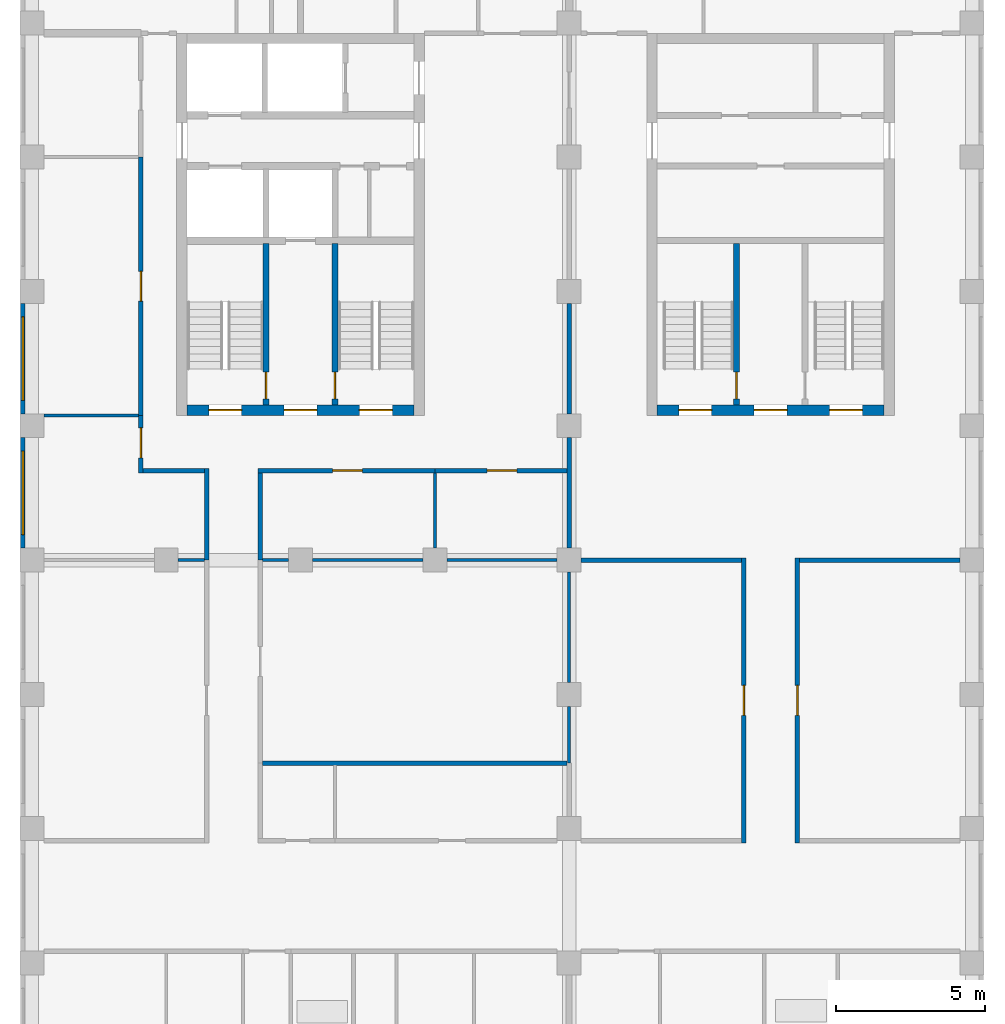
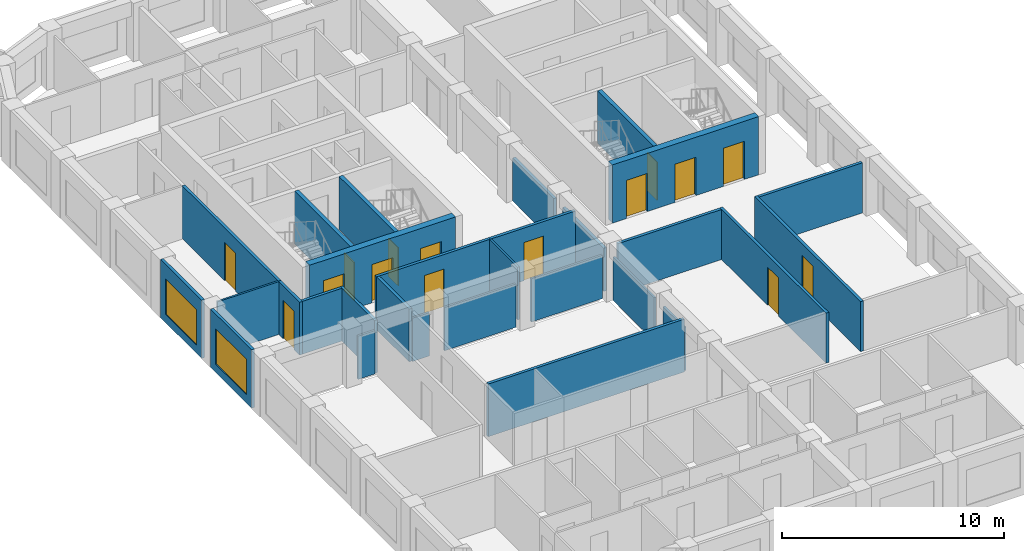
# One storey, part 4 of 10: 29 walls, 15 doors, 2 windows, 17 openings.
"""IFC4 building model written with IfcOpenShell, lengths in metres."""

from ifc_helpers import new_model, si_unit, direction, frame, frame_2d, origin, place, context, subcontext, project, spatial, rectangle, extrude, material, layer, layer_set, type_object, element, fill, save


model = new_model("IFC4")

# Units and contexts
model_context = context("Model", 3, precision=1e-05, world=origin(), true_north=direction((0.0, 1.0)))
body_context = subcontext(model_context, "Body", "Model", "MODEL_VIEW")
ifc_project = project(units=[si_unit("LENGTHUNIT", "METRE"), si_unit("AREAUNIT", "SQUARE_METRE"), si_unit("VOLUMEUNIT", "CUBIC_METRE"), si_unit("PLANEANGLEUNIT", "RADIAN"), si_unit("MASSUNIT", "GRAM", prefix="KILO")], contexts=[model_context])

# Site, building, storey
site_placement = place(None, origin())
site = spatial("IfcSite", under=ifc_project, at=site_placement, CompositionType="ELEMENT")
building_placement = place(site_placement, origin())
building = spatial("IfcBuilding", under=site, at=building_placement, Name="Girih Gate Residences", CompositionType="ELEMENT")
storey_placement = place(building_placement, frame((0.0, 0.0, 192.300048828125)))
storey = spatial("IfcBuildingStorey", under=building, at=storey_placement, Name="L53", CompositionType="ELEMENT", Elevation=192.300048828125)

# Walls
ifc_material_1 = material(Name="Gypsum board on steel studs", Category="steel")
ifc_layer_1 = layer(ifc_material_1, 0.14990234375)
ifc_layer_set_1 = layer_set([ifc_layer_1], Name="Compartment wall 150 mm")
wall_type_1 = type_object("IfcWallType", Name="Compartment wall 150 mm", PredefinedType="PARTITIONING", material=ifc_layer_set_1)
wall_1_placement = place(storey_placement, frame((7.72509765625, 15.699951171875, 0.0), z_axis=(0.0, 0.0, 1.0), x_axis=(1.0, 0.0, 0.0)))
element("IfcWall", 1, at=wall_1_placement, inside=storey, type_object=wall_type_1, Name="L53 partition", PredefinedType="PARTITIONING", context=body_context, shape_type="SweptSolid", body=[
    extrude(rectangle(XDim=10.199951171875, YDim=0.14990234375, at=frame_2d((5.10009765625, 0.0))), origin(), (0.0, 0.0, 1.0), 2.89990234375),
])
for number, where, z_axis, x_axis, name in (
    (2, (18.39990234375, 22.5, 0.0), (0.0, 0.0, 1.0), (1.0, 0.0, 0.0), "L53 partition"),
    (3, (25.72509765625, 22.5, 0.0), (0.0, 0.0, 1.0), (1.0, 0.0, 0.0), "L53 partition"),
):
    element("IfcWall", number, at=place(storey_placement, frame(where, z_axis=z_axis, x_axis=x_axis)), inside=storey, type_object=wall_type_1, Name=name, PredefinedType="PARTITIONING", context=body_context, shape_type="SweptSolid", body=[
        extrude(rectangle(XDim=5.375, YDim=0.14990234375, at=frame_2d((2.6875, 0.0))), origin(), (0.0, 0.0, 1.0), 2.75),
    ])
for number, where, z_axis, x_axis, name in (
    (4, (18.0, 27.39990234375, 0.0), (0.0, 0.0, 1.0), (0.0, 1.0, 0.0), "L53 partition"),
    (5, (18.0, 22.89990234375, 0.0), (0.0, 0.0, 1.0), (0.0, 1.0, 0.0), "L53 partition"),
):
    element("IfcWall", number, at=place(storey_placement, frame(where, z_axis=z_axis, x_axis=x_axis)), inside=storey, type_object=wall_type_1, Name=name, PredefinedType="PARTITIONING", context=body_context, shape_type="SweptSolid", body=[
        extrude(rectangle(XDim=3.7001953125, YDim=0.14990234375, at=frame_2d((1.85009765625, 0.0))), origin(), (0.0, 0.0, 1.0), 2.3798828125),
    ])

# Wall, opening, door
wall_2_placement = place(storey_placement, frame((23.85009765625, 13.02490234375, 0.0), z_axis=(0.0, 0.0, 1.0), x_axis=(0.0, 1.0, 0.0)))
wall_2 = element("IfcWall", 6, at=wall_2_placement, inside=storey, type_object=wall_type_1, Name="L53 partition", PredefinedType="PARTITIONING", context=body_context, shape_type="SweptSolid", body=[
    extrude(rectangle(XDim=9.550048828125, YDim=0.14990234375, at=frame_2d((4.77490234375, 0.0))), origin(), (0.0, 0.0, 1.0), 2.75),
])
opening_1_placement = place(wall_2_placement, frame((4.27490234375, 0.0, 0.0)))
opening_1 = element("IfcOpeningElement", 7, at=opening_1_placement, cuts=wall_2, Name="Opening A53-031", PredefinedType="OPENING", context=body_context, shape_type="SweptSolid", body=[
    extrude(rectangle(XDim=1.0, YDim=2.10009765625, at=frame_2d((0.5, 1.050048828125))), frame((0.0, 0.0849609375, 0.0), z_axis=(0.0, -1.0, 0.0), x_axis=(1.0, 0.0, 0.0)), (0.0, 0.0, 1.0), 0.169921875),
])
ifc_material_2 = material(Name="Timber, fire-rated core", Category="wood")
door_type_1 = type_object("IfcDoorType", Name="Amenity room door 1000x2100 FD30S", OperationType="NOTDEFINED", PredefinedType="DOOR", material=ifc_material_2)
door_1_placement = place(opening_1_placement, origin())
door_1 = element("IfcDoor", 8, at=door_1_placement, inside=storey, type_object=door_type_1, Name="Door A53-031", OperationType="SINGLE_SWING_RIGHT", OverallHeight=2.10009765625, OverallWidth=1.0, PredefinedType="DOOR", context=body_context, shape_type="SweptSolid", body=[
    extrude(rectangle(XDim=1.0, YDim=2.10009765625, at=frame_2d((0.5, 1.050048828125))), frame((0.0, 0.02490234375, 0.0), z_axis=(0.0, -1.0, 0.0), x_axis=(1.0, 0.0, 0.0)), (0.0, 0.0, 1.0), 0.050048828125),
])
fill(opening_1, door_1)

wall_3_placement = place(storey_placement, frame((25.64990234375, 22.574951171875, 0.0), z_axis=(0.0, 0.0, 1.0), x_axis=(0.0, -1.0, 0.0)))
wall_3 = element("IfcWall", 9, at=wall_3_placement, inside=storey, type_object=wall_type_1, Name="L53 partition", PredefinedType="PARTITIONING", context=body_context, shape_type="SweptSolid", body=[
    extrude(rectangle(XDim=9.550048828125, YDim=0.14990234375, at=frame_2d((4.77490234375, 0.0))), origin(), (0.0, 0.0, 1.0), 2.75),
])
opening_2_placement = place(wall_3_placement, frame((4.27490234375, 0.0, 0.0)))
opening_2 = element("IfcOpeningElement", 10, at=opening_2_placement, cuts=wall_3, Name="Opening A53-032", PredefinedType="OPENING", context=body_context, shape_type="SweptSolid", body=[
    extrude(rectangle(XDim=1.0, YDim=2.10009765625, at=frame_2d((0.5, 1.050048828125))), frame((0.0, 0.0849609375, 0.0), z_axis=(0.0, -1.0, 0.0), x_axis=(1.0, 0.0, 0.0)), (0.0, 0.0, 1.0), 0.169921875),
])
door_2_placement = place(opening_2_placement, origin())
door_2 = element("IfcDoor", 11, at=door_2_placement, inside=storey, type_object=door_type_1, Name="Door A53-032", OperationType="SINGLE_SWING_LEFT", OverallHeight=2.10009765625, OverallWidth=1.0, PredefinedType="DOOR", context=body_context, shape_type="SweptSolid", body=[
    extrude(rectangle(XDim=1.0, YDim=2.10009765625, at=frame_2d((0.5, 1.050048828125))), frame((0.0, 0.02490234375, 0.0), z_axis=(0.0, -1.0, 0.0), x_axis=(1.0, 0.0, 0.0)), (0.0, 0.0, 1.0), 0.050048828125),
])
fill(opening_2, door_2)

# Walls
wall_4_placement = place(storey_placement, frame((5.85009765625, 22.5, 0.0), z_axis=(0.0, 0.0, 1.0), x_axis=(0.0, 1.0, 0.0)))
element("IfcWall", 12, at=wall_4_placement, inside=storey, type_object=wall_type_1, Name="L53 partition", PredefinedType="PARTITIONING", context=body_context, shape_type="SweptSolid", body=[
    extrude(rectangle(XDim=3.074951171875, YDim=0.14990234375, at=frame_2d((1.53759765625, 0.0))), origin(), (0.0, 0.0, 1.0), 2.89990234375),
])
wall_5_placement = place(storey_placement, frame((3.72509765625, 25.5, 0.0), z_axis=(0.0, 0.0, 1.0), x_axis=(1.0, 0.0, 0.0)))
element("IfcWall", 13, at=wall_5_placement, inside=storey, type_object=wall_type_1, Name="L53 partition", PredefinedType="PARTITIONING", context=body_context, shape_type="SweptSolid", body=[
    extrude(rectangle(XDim=2.0498046875, YDim=0.14990234375, at=frame_2d((1.02490234375, 0.0))), origin(), (0.0, 0.0, 1.0), 2.89990234375),
])

# Wall, opening, door
wall_6_placement = place(storey_placement, frame((3.64990234375, 25.425048828125, 0.0), z_axis=(0.0, 0.0, 1.0), x_axis=(0.0, 1.0, 0.0)))
wall_6 = element("IfcWall", 14, at=wall_6_placement, inside=storey, type_object=wall_type_1, Name="L53 partition", PredefinedType="PARTITIONING", context=body_context, shape_type="SweptSolid", body=[
    extrude(rectangle(XDim=1.925048828125, YDim=0.14990234375, at=frame_2d((0.96240234375, 0.0))), origin(), (0.0, 0.0, 1.0), 2.89990234375),
])
opening_3_placement = place(wall_6_placement, frame((0.5, 0.0, 0.0)))
opening_3 = element("IfcOpeningElement", 15, at=opening_3_placement, cuts=wall_6, Name="Opening A53-035", PredefinedType="OPENING", context=body_context, shape_type="SweptSolid", body=[
    extrude(rectangle(XDim=1.0, YDim=2.10009765625, at=frame_2d((0.5, 1.050048828125))), frame((0.0, 0.0849609375, 0.0), z_axis=(0.0, -1.0, 0.0), x_axis=(1.0, 0.0, 0.0)), (0.0, 0.0, 1.0), 0.169921875),
])
door_3_placement = place(opening_3_placement, origin())
door_3 = element("IfcDoor", 16, at=door_3_placement, inside=storey, type_object=door_type_1, Name="Door A53-035", OperationType="SINGLE_SWING_RIGHT", OverallHeight=2.10009765625, OverallWidth=1.0, PredefinedType="DOOR", context=body_context, shape_type="SweptSolid", body=[
    extrude(rectangle(XDim=1.0, YDim=2.10009765625, at=frame_2d((0.5, 1.050048828125))), frame((0.0, 0.02490234375, 0.0), z_axis=(0.0, -1.0, 0.0), x_axis=(1.0, 0.0, 0.0)), (0.0, 0.0, 1.0), 0.050048828125),
])
fill(opening_3, door_3)

wall_7_placement = place(storey_placement, frame((13.5, 25.5, 0.0), z_axis=(0.0, 0.0, 1.0), x_axis=(-1.0, 0.0, 0.0)))
wall_7 = element("IfcWall", 17, at=wall_7_placement, inside=storey, type_object=wall_type_1, Name="L53 partition", PredefinedType="PARTITIONING", context=body_context, shape_type="SweptSolid", body=[
    extrude(rectangle(XDim=5.925048828125, YDim=0.14990234375, at=frame_2d((2.96240234375, 0.0))), origin(), (0.0, 0.0, 1.0), 2.89990234375),
])
opening_4_placement = place(wall_7_placement, frame((2.425048828125, 0.0, 0.0)))
opening_4 = element("IfcOpeningElement", 18, at=opening_4_placement, cuts=wall_7, Name="Opening A53-036", PredefinedType="OPENING", context=body_context, shape_type="SweptSolid", body=[
    extrude(rectangle(XDim=1.0, YDim=2.10009765625, at=frame_2d((0.5, 1.050048828125))), frame((0.0, 0.0849609375, 0.0), z_axis=(0.0, -1.0, 0.0), x_axis=(1.0, 0.0, 0.0)), (0.0, 0.0, 1.0), 0.169921875),
])
door_4_placement = place(opening_4_placement, origin())
door_4 = element("IfcDoor", 19, at=door_4_placement, inside=storey, type_object=door_type_1, Name="Door A53-036", OperationType="SINGLE_SWING_LEFT", OverallHeight=2.10009765625, OverallWidth=1.0, PredefinedType="DOOR", context=body_context, shape_type="SweptSolid", body=[
    extrude(rectangle(XDim=1.0, YDim=2.10009765625, at=frame_2d((0.5, 1.050048828125))), frame((0.0, 0.02490234375, 0.0), z_axis=(0.0, -1.0, 0.0), x_axis=(1.0, 0.0, 0.0)), (0.0, 0.0, 1.0), 0.050048828125),
])
fill(opening_4, door_4)

# Wall
wall_8_placement = place(storey_placement, frame((7.64990234375, 22.5, 0.0), z_axis=(0.0, 0.0, 1.0), x_axis=(0.0, 1.0, 0.0)))
element("IfcWall", 20, at=wall_8_placement, inside=storey, type_object=wall_type_1, Name="L53 partition", PredefinedType="PARTITIONING", context=body_context, shape_type="SweptSolid", body=[
    extrude(rectangle(XDim=2.925048828125, YDim=0.14990234375, at=frame_2d((1.46240234375, 0.0))), origin(), (0.0, 0.0, 1.0), 2.89990234375),
])

# Wall, opening, door
wall_9_placement = place(storey_placement, frame((17.925048828125, 25.5, 0.0), z_axis=(0.0, 0.0, 1.0), x_axis=(-1.0, 0.0, 0.0)))
wall_9 = element("IfcWall", 21, at=wall_9_placement, inside=storey, type_object=wall_type_1, Name="L53 partition", PredefinedType="PARTITIONING", context=body_context, shape_type="SweptSolid", body=[
    extrude(rectangle(XDim=4.425048828125, YDim=0.14990234375, at=frame_2d((2.21240234375, 0.0))), origin(), (0.0, 0.0, 1.0), 2.89990234375),
])
opening_5_placement = place(wall_9_placement, frame((1.675048828125, 0.0, 0.0)))
opening_5 = element("IfcOpeningElement", 22, at=opening_5_placement, cuts=wall_9, Name="Opening A53-037", PredefinedType="OPENING", context=body_context, shape_type="SweptSolid", body=[
    extrude(rectangle(XDim=1.0, YDim=2.10009765625, at=frame_2d((0.5, 1.050048828125))), frame((0.0, 0.0849609375, 0.0), z_axis=(0.0, -1.0, 0.0), x_axis=(1.0, 0.0, 0.0)), (0.0, 0.0, 1.0), 0.169921875),
])
door_5_placement = place(opening_5_placement, origin())
door_5 = element("IfcDoor", 23, at=door_5_placement, inside=storey, type_object=door_type_1, Name="Door A53-037", OperationType="SINGLE_SWING_LEFT", OverallHeight=2.10009765625, OverallWidth=1.0, PredefinedType="DOOR", context=body_context, shape_type="SweptSolid", body=[
    extrude(rectangle(XDim=1.0, YDim=2.10009765625, at=frame_2d((0.5, 1.050048828125))), frame((0.0, 0.02490234375, 0.0), z_axis=(0.0, -1.0, 0.0), x_axis=(1.0, 0.0, 0.0)), (0.0, 0.0, 1.0), 0.050048828125),
])
fill(opening_5, door_5)

wall_10_placement = place(storey_placement, frame((3.64990234375, 27.35009765625, 0.0), z_axis=(0.0, 0.0, 1.0), x_axis=(0.0, 1.0, 0.0)))
wall_10 = element("IfcWall", 24, at=wall_10_placement, inside=storey, type_object=wall_type_1, Name="L53 partition", PredefinedType="PARTITIONING", context=body_context, shape_type="SweptSolid", body=[
    extrude(rectangle(XDim=8.64990234375, YDim=0.14990234375, at=frame_2d((4.324951171875, 0.0))), origin(), (0.0, 0.0, 1.0), 2.89990234375),
])
opening_6_placement = place(wall_10_placement, frame((3.824951171875, 0.0, 0.0)))
opening_6 = element("IfcOpeningElement", 25, at=opening_6_placement, cuts=wall_10, Name="Opening A53-038", PredefinedType="OPENING", context=body_context, shape_type="SweptSolid", body=[
    extrude(rectangle(XDim=1.0, YDim=2.10009765625, at=frame_2d((0.5, 1.050048828125))), frame((0.0, 0.0849609375, 0.0), z_axis=(0.0, -1.0, 0.0), x_axis=(1.0, 0.0, 0.0)), (0.0, 0.0, 1.0), 0.169921875),
])
door_6_placement = place(opening_6_placement, origin())
door_6 = element("IfcDoor", 26, at=door_6_placement, inside=storey, type_object=door_type_1, Name="Door A53-038", OperationType="SINGLE_SWING_RIGHT", OverallHeight=2.10009765625, OverallWidth=1.0, PredefinedType="DOOR", context=body_context, shape_type="SweptSolid", body=[
    extrude(rectangle(XDim=1.0, YDim=2.10009765625, at=frame_2d((0.5, 1.050048828125))), frame((0.0, 0.02490234375, 0.0), z_axis=(0.0, -1.0, 0.0), x_axis=(1.0, 0.0, 0.0)), (0.0, 0.0, 1.0), 0.050048828125),
])
fill(opening_6, door_6)

# Wall, openings, doors
ifc_material_3 = material(Name="Concrete C60/75", Category="concrete")
ifc_layer_2 = layer(ifc_material_3, 0.35009765625)
ifc_layer_set_2 = layer_set([ifc_layer_2], Name="Core wall RC 350 Concrete C60/75")
wall_type_2 = type_object("IfcWallType", Name="Core wall RC 350 Concrete C60/75", PredefinedType="SOLIDWALL", material=ifc_layer_set_2)
wall_11_placement = place(storey_placement, frame((5.199951171875, 27.52490234375, 0.0), z_axis=(0.0, 0.0, 1.0), x_axis=(1.0, 0.0, 0.0)))
wall_11 = element("IfcWall", 27, at=wall_11_placement, inside=storey, type_object=wall_type_2, Name="Core wall W-S L53", PredefinedType="SOLIDWALL", context=body_context, shape_type="SweptSolid", body=[
    extrude(rectangle(XDim=7.60009765625, YDim=0.35009765625, at=frame_2d((3.800048828125, 0.0))), origin(), (0.0, 0.0, 1.0), 3.199951171875),
])
opening_7_placement = place(wall_11_placement, frame((0.72509765625, 0.0, 0.0)))
opening_7 = element("IfcOpeningElement", 28, at=opening_7_placement, cuts=wall_11, Name="Opening D-L53-W-009", PredefinedType="OPENING", context=body_context, shape_type="SweptSolid", body=[
    extrude(rectangle(XDim=1.10009765625, YDim=2.10009765625, at=frame_2d((0.550048828125, 1.050048828125))), frame((0.0, 0.18505859375, 0.0), z_axis=(0.0, -1.0, 0.0), x_axis=(1.0, 0.0, 0.0)), (0.0, 0.0, 1.0), 0.3701171875),
])
opening_8_placement = place(wall_11_placement, frame((3.25, 0.0, 0.0)))
opening_8 = element("IfcOpeningElement", 29, at=opening_8_placement, cuts=wall_11, Name="Opening D-L53-W-010", PredefinedType="OPENING", context=body_context, shape_type="SweptSolid", body=[
    extrude(rectangle(XDim=1.10009765625, YDim=2.10009765625, at=frame_2d((0.550048828125, 1.050048828125))), frame((0.0, 0.18505859375, 0.0), z_axis=(0.0, -1.0, 0.0), x_axis=(1.0, 0.0, 0.0)), (0.0, 0.0, 1.0), 0.3701171875),
])
opening_9_placement = place(wall_11_placement, frame((5.77490234375, 0.0, 0.0)))
opening_9 = element("IfcOpeningElement", 30, at=opening_9_placement, cuts=wall_11, Name="Opening D-L53-W-011", PredefinedType="OPENING", context=body_context, shape_type="SweptSolid", body=[
    extrude(rectangle(XDim=1.10009765625, YDim=2.10009765625, at=frame_2d((0.550048828125, 1.050048828125))), frame((0.0, 0.18505859375, 0.0), z_axis=(0.0, -1.0, 0.0), x_axis=(1.0, 0.0, 0.0)), (0.0, 0.0, 1.0), 0.3701171875),
])
ifc_material_4 = material(Name="Painted steel, fire-resisting", Category="steel")
door_type_2 = type_object("IfcDoorType", Name="Fire door 1100x2100", OperationType="SINGLE_SWING_LEFT", PredefinedType="DOOR", material=ifc_material_4)
door_7_placement = place(opening_7_placement, origin())
door_7 = element("IfcDoor", 31, at=door_7_placement, inside=storey, type_object=door_type_2, Name="L53 W core door sta-out", OperationType="SINGLE_SWING_LEFT", OverallHeight=2.10009765625, OverallWidth=1.10009765625, PredefinedType="DOOR", context=body_context, shape_type="SweptSolid", body=[
    extrude(rectangle(XDim=1.10009765625, YDim=2.10009765625, at=frame_2d((0.550048828125, 1.050048828125))), frame((0.0, 0.02490234375, 0.0), z_axis=(0.0, -1.0, 0.0), x_axis=(1.0, 0.0, 0.0)), (0.0, 0.0, 1.0), 0.050048828125),
])
fill(opening_7, door_7)
door_8_placement = place(opening_8_placement, origin())
door_8 = element("IfcDoor", 32, at=door_8_placement, inside=storey, type_object=door_type_2, Name="L53 W core door ffl-out", OperationType="SINGLE_SWING_LEFT", OverallHeight=2.10009765625, OverallWidth=1.10009765625, PredefinedType="DOOR", context=body_context, shape_type="SweptSolid", body=[
    extrude(rectangle(XDim=1.10009765625, YDim=2.10009765625, at=frame_2d((0.550048828125, 1.050048828125))), frame((0.0, 0.02490234375, 0.0), z_axis=(0.0, -1.0, 0.0), x_axis=(1.0, 0.0, 0.0)), (0.0, 0.0, 1.0), 0.050048828125),
])
fill(opening_8, door_8)
door_9_placement = place(opening_9_placement, origin())
door_9 = element("IfcDoor", 33, at=door_9_placement, inside=storey, type_object=door_type_2, Name="L53 W core door stb-out", OperationType="SINGLE_SWING_LEFT", OverallHeight=2.10009765625, OverallWidth=1.10009765625, PredefinedType="DOOR", context=body_context, shape_type="SweptSolid", body=[
    extrude(rectangle(XDim=1.10009765625, YDim=2.10009765625, at=frame_2d((0.550048828125, 1.050048828125))), frame((0.0, 0.02490234375, 0.0), z_axis=(0.0, -1.0, 0.0), x_axis=(1.0, 0.0, 0.0)), (0.0, 0.0, 1.0), 0.050048828125),
])
fill(opening_9, door_9)

# Walls
ifc_layer_3 = layer(ifc_material_1, 0.10009765625)
ifc_layer_set_3 = layer_set([ifc_layer_3], Name="Partition 100 mm")
wall_type_3 = type_object("IfcWallType", Name="Partition 100 mm", PredefinedType="PARTITIONING", material=ifc_layer_set_3)
wall_12_placement = place(storey_placement, frame((18.0, 18.39990234375, 0.0), z_axis=(0.0, 0.0, 1.0), x_axis=(0.0, 1.0, 0.0)))
element("IfcWall", 34, at=wall_12_placement, inside=storey, type_object=wall_type_3, Name="L53 partition", PredefinedType="PARTITIONING", context=body_context, shape_type="SweptSolid", body=[
    extrude(rectangle(XDim=3.7001953125, YDim=0.10009765625, at=frame_2d((1.85009765625, 0.0))), origin(), (0.0, 0.0, 1.0), 2.3798828125),
])
wall_13_placement = place(storey_placement, frame((18.0, 15.699951171875, 0.0), z_axis=(0.0, 0.0, 1.0), x_axis=(0.0, 1.0, 0.0)))
element("IfcWall", 35, at=wall_13_placement, inside=storey, type_object=wall_type_3, Name="L53 partition", PredefinedType="PARTITIONING", context=body_context, shape_type="SweptSolid", body=[
    extrude(rectangle(XDim=1.900146484375, YDim=0.10009765625, at=frame_2d((0.9501953125, 0.0))), origin(), (0.0, 0.0, 1.0), 2.3798828125),
])
wall_14_placement = place(storey_placement, frame((7.72509765625, 22.5, 0.0), z_axis=(0.0, 0.0, 1.0), x_axis=(1.0, 0.0, 0.0)))
element("IfcWall", 36, at=wall_14_placement, inside=storey, type_object=wall_type_3, Name="L53 partition", PredefinedType="PARTITIONING", context=body_context, shape_type="SweptSolid", body=[
    extrude(rectangle(XDim=0.875, YDim=0.10009765625, at=frame_2d((0.4375, 0.0))), origin(), (0.0, 0.0, 1.0), 2.3798828125),
])
for number, where, z_axis, x_axis, name in (
    (37, (9.39990234375, 22.5, 0.0), (0.0, 0.0, 1.0), (1.0, 0.0, 0.0), "L53 partition"),
    (38, (13.89990234375, 22.5, 0.0), (0.0, 0.0, 1.0), (1.0, 0.0, 0.0), "L53 partition"),
):
    element("IfcWall", number, at=place(storey_placement, frame(where, z_axis=z_axis, x_axis=x_axis)), inside=storey, type_object=wall_type_3, Name=name, PredefinedType="PARTITIONING", context=body_context, shape_type="SweptSolid", body=[
        extrude(rectangle(XDim=3.7001953125, YDim=0.10009765625, at=frame_2d((1.85009765625, 0.0))), origin(), (0.0, 0.0, 1.0), 2.3798828125),
    ])
wall_15_placement = place(storey_placement, frame((0.39990234375, 27.35009765625, 0.0), z_axis=(0.0, 0.0, 1.0), x_axis=(1.0, 0.0, 0.0)))
element("IfcWall", 39, at=wall_15_placement, inside=storey, type_object=wall_type_3, Name="L53 partition", PredefinedType="PARTITIONING", context=body_context, shape_type="SweptSolid", body=[
    extrude(rectangle(XDim=3.175048828125, YDim=0.10009765625, at=frame_2d((1.58740234375, 0.0))), origin(), (0.0, 0.0, 1.0), 2.89990234375),
])
wall_16_placement = place(storey_placement, frame((4.89990234375, 22.5, 0.0), z_axis=(0.0, 0.0, 1.0), x_axis=(1.0, 0.0, 0.0)))
element("IfcWall", 40, at=wall_16_placement, inside=storey, type_object=wall_type_3, Name="L53 partition", PredefinedType="PARTITIONING", context=body_context, shape_type="SweptSolid", body=[
    extrude(rectangle(XDim=0.875, YDim=0.10009765625, at=frame_2d((0.4375, 0.0))), origin(), (0.0, 0.0, 1.0), 2.3798828125),
])
wall_17_placement = place(storey_placement, frame((13.5, 22.89990234375, 0.0), z_axis=(0.0, 0.0, 1.0), x_axis=(0.0, 1.0, 0.0)))
element("IfcWall", 41, at=wall_17_placement, inside=storey, type_object=wall_type_3, Name="L53 partition", PredefinedType="PARTITIONING", context=body_context, shape_type="SweptSolid", body=[
    extrude(rectangle(XDim=2.525146484375, YDim=0.10009765625, at=frame_2d((1.2626953125, 0.0))), origin(), (0.0, 0.0, 1.0), 2.89990234375),
])

# Wall, opening, window
ifc_material_5 = material(Name="Precast concrete C50/60", Category="concrete")
ifc_layer_4 = layer(ifc_material_5, 0.050048828125, Name="Outer leaf")
ifc_material_6 = material(Name="Rigid PIR insulation")
ifc_layer_5 = layer(ifc_material_6, 0.06005859375, Name="Insulation")
ifc_material_7 = material(Name="Precast concrete C40/50", Category="concrete")
ifc_layer_6 = layer(ifc_material_7, 0.0400390625, Name="Inner leaf")
ifc_layer_set_4 = layer_set([ifc_layer_4, ifc_layer_5, ifc_layer_6], Name="Precast concrete C50/60 external wall 150")
wall_type_4 = type_object("IfcWallType", Name="Precast concrete C50/60 external wall 150", PredefinedType="SOLIDWALL", material=ifc_layer_set_4)
wall_18_placement = place(storey_placement, frame((-0.300048828125, 27.39990234375, 0.0), z_axis=(0.0, 0.0, 1.0), x_axis=(0.0, 1.0, 0.0)))
wall_18 = element("IfcWall", 42, at=wall_18_placement, inside=storey, type_object=wall_type_4, Name="External wall W0000_0450.3", PredefinedType="SOLIDWALL", context=body_context, shape_type="SweptSolid", body=[
    extrude(rectangle(XDim=3.7001953125, YDim=0.14990234375, at=frame_2d((1.85009765625, 0.0))), origin(), (0.0, 0.0, 1.0), 3.199951171875),
])
opening_10_placement = place(wall_18_placement, frame((0.449951171875, 0.0, 0.449951171875)))
opening_10 = element("IfcOpeningElement", 43, at=opening_10_placement, cuts=wall_18, Name="Opening W-1B", PredefinedType="OPENING", context=body_context, shape_type="SweptSolid", body=[
    extrude(rectangle(XDim=2.800048828125, YDim=1.949951171875, at=frame_2d((1.39990234375, 0.97509765625))), frame((0.0, 0.0849609375, 0.0), z_axis=(0.0, -1.0, 0.0), x_axis=(1.0, 0.0, 0.0)), (0.0, 0.0, 1.0), 0.169921875),
])
ifc_material_8 = material(Name="Double glazing in aluminium frame", Category="aluminium")
window_type = type_object("IfcWindowType", Name="Window W-1B 2800x1950", PartitioningType="SINGLE_PANEL", PredefinedType="WINDOW", material=ifc_material_8)
window_1_placement = place(opening_10_placement, origin())
window_1 = element("IfcWindow", 44, at=window_1_placement, inside=storey, type_object=window_type, Name="Window W-1B W0000_0450.3", OverallHeight=1.949951171875, OverallWidth=2.800048828125, PartitioningType="SINGLE_PANEL", PredefinedType="WINDOW", context=body_context, shape_type="SweptSolid", body=[
    extrude(rectangle(XDim=2.800048828125, YDim=1.949951171875, at=frame_2d((1.39990234375, 0.97509765625))), frame((0.0, 0.030029296875, 0.0), z_axis=(0.0, -1.0, 0.0), x_axis=(1.0, 0.0, 0.0)), (0.0, 0.0, 1.0), 0.06005859375),
])
fill(opening_10, window_1)

wall_19_placement = place(storey_placement, frame((-0.300048828125, 22.89990234375, 0.0), z_axis=(0.0, 0.0, 1.0), x_axis=(0.0, 1.0, 0.0)))
wall_19 = element("IfcWall", 45, at=wall_19_placement, inside=storey, type_object=wall_type_4, Name="External wall W0000_0450.4", PredefinedType="SOLIDWALL", context=body_context, shape_type="SweptSolid", body=[
    extrude(rectangle(XDim=3.7001953125, YDim=0.14990234375, at=frame_2d((1.85009765625, 0.0))), origin(), (0.0, 0.0, 1.0), 3.199951171875),
])
opening_11_placement = place(wall_19_placement, frame((0.449951171875, 0.0, 0.449951171875)))
opening_11 = element("IfcOpeningElement", 46, at=opening_11_placement, cuts=wall_19, Name="Opening W-1B", PredefinedType="OPENING", context=body_context, shape_type="SweptSolid", body=[
    extrude(rectangle(XDim=2.800048828125, YDim=1.949951171875, at=frame_2d((1.39990234375, 0.97509765625))), frame((0.0, 0.0849609375, 0.0), z_axis=(0.0, -1.0, 0.0), x_axis=(1.0, 0.0, 0.0)), (0.0, 0.0, 1.0), 0.169921875),
])
window_2_placement = place(opening_11_placement, origin())
window_2 = element("IfcWindow", 47, at=window_2_placement, inside=storey, type_object=window_type, Name="Window W-1B W0000_0450.4", OverallHeight=1.949951171875, OverallWidth=2.800048828125, PartitioningType="SINGLE_PANEL", PredefinedType="WINDOW", context=body_context, shape_type="SweptSolid", body=[
    extrude(rectangle(XDim=2.800048828125, YDim=1.949951171875, at=frame_2d((1.39990234375, 0.97509765625))), frame((0.0, 0.030029296875, 0.0), z_axis=(0.0, -1.0, 0.0), x_axis=(1.0, 0.0, 0.0)), (0.0, 0.0, 1.0), 0.06005859375),
])
fill(opening_11, window_2)

# Wall, opening, door
ifc_material_9 = material(Name="Concrete C40/50", Category="concrete")
ifc_layer_7 = layer(ifc_material_9, 0.199951171875)
ifc_layer_set_5 = layer_set([ifc_layer_7], Name="Shaft wall 200")
wall_type_5 = type_object("IfcWallType", Name="Shaft wall 200", PredefinedType="SOLIDWALL", material=ifc_layer_set_5)
wall_20_placement = place(storey_placement, frame((7.85009765625, 27.699951171875, 0.0), z_axis=(0.0, 0.0, 1.0), x_axis=(0.0, 1.0, 0.0)))
wall_20 = element("IfcWall", 48, at=wall_20_placement, inside=storey, type_object=wall_type_5, Name="L53 W core wall V1a", PredefinedType="SOLIDWALL", context=body_context, shape_type="SweptSolid", body=[
    extrude(rectangle(XDim=5.400146484375, YDim=0.199951171875, at=frame_2d((2.7001953125, 0.0))), origin(), (0.0, 0.0, 1.0), 2.89990234375),
])
opening_12_placement = place(wall_20_placement, frame((0.199951171875, 0.0, 0.0)))
opening_12 = element("IfcOpeningElement", 49, at=opening_12_placement, cuts=wall_20, Name="Opening D-L53-W-001", PredefinedType="OPENING", context=body_context, shape_type="SweptSolid", body=[
    extrude(rectangle(XDim=0.89990234375, YDim=2.10009765625, at=frame_2d((0.449951171875, 1.050048828125))), frame((0.0, 0.10986328125, 0.0), z_axis=(0.0, -1.0, 0.0), x_axis=(1.0, 0.0, 0.0)), (0.0, 0.0, 1.0), 0.219970703125),
])
door_type_3 = type_object("IfcDoorType", Name="Fire door 900x2100", OperationType="SINGLE_SWING_LEFT", PredefinedType="DOOR", material=ifc_material_4)
door_10_placement = place(opening_12_placement, origin())
door_10 = element("IfcDoor", 50, at=door_10_placement, inside=storey, type_object=door_type_3, Name="L53 W door stair 1 to firefighting lobby", OperationType="SINGLE_SWING_LEFT", OverallHeight=2.10009765625, OverallWidth=0.89990234375, PredefinedType="DOOR", context=body_context, shape_type="SweptSolid", body=[
    extrude(rectangle(XDim=0.89990234375, YDim=2.10009765625, at=frame_2d((0.449951171875, 1.050048828125))), frame((0.0, 0.02490234375, 0.0), z_axis=(0.0, -1.0, 0.0), x_axis=(1.0, 0.0, 0.0)), (0.0, 0.0, 1.0), 0.050048828125),
])
fill(opening_12, door_10)

wall_21_placement = place(storey_placement, frame((10.14990234375, 27.699951171875, 0.0), z_axis=(0.0, 0.0, 1.0), x_axis=(0.0, 1.0, 0.0)))
wall_21 = element("IfcWall", 51, at=wall_21_placement, inside=storey, type_object=wall_type_5, Name="L53 W core wall V2a", PredefinedType="SOLIDWALL", context=body_context, shape_type="SweptSolid", body=[
    extrude(rectangle(XDim=5.400146484375, YDim=0.199951171875, at=frame_2d((2.7001953125, 0.0))), origin(), (0.0, 0.0, 1.0), 2.89990234375),
])
opening_13_placement = place(wall_21_placement, frame((0.199951171875, 0.0, 0.0)))
opening_13 = element("IfcOpeningElement", 52, at=opening_13_placement, cuts=wall_21, Name="Opening D-L53-W-002", PredefinedType="OPENING", context=body_context, shape_type="SweptSolid", body=[
    extrude(rectangle(XDim=0.89990234375, YDim=2.10009765625, at=frame_2d((0.449951171875, 1.050048828125))), frame((0.0, 0.10986328125, 0.0), z_axis=(0.0, -1.0, 0.0), x_axis=(1.0, 0.0, 0.0)), (0.0, 0.0, 1.0), 0.219970703125),
])
door_11_placement = place(opening_13_placement, origin())
door_11 = element("IfcDoor", 53, at=door_11_placement, inside=storey, type_object=door_type_3, Name="L53 W door stair 2 to firefighting lobby", OperationType="SINGLE_SWING_LEFT", OverallHeight=2.10009765625, OverallWidth=0.89990234375, PredefinedType="DOOR", context=body_context, shape_type="SweptSolid", body=[
    extrude(rectangle(XDim=0.89990234375, YDim=2.10009765625, at=frame_2d((0.449951171875, 1.050048828125))), frame((0.0, 0.02490234375, 0.0), z_axis=(0.0, -1.0, 0.0), x_axis=(1.0, 0.0, 0.0)), (0.0, 0.0, 1.0), 0.050048828125),
])
fill(opening_13, door_11)

wall_22_placement = place(storey_placement, frame((23.60009765625, 27.699951171875, 0.0), z_axis=(0.0, 0.0, 1.0), x_axis=(0.0, 1.0, 0.0)))
wall_22 = element("IfcWall", 54, at=wall_22_placement, inside=storey, type_object=wall_type_5, Name="L53 C core wall V1a", PredefinedType="SOLIDWALL", context=body_context, shape_type="SweptSolid", body=[
    extrude(rectangle(XDim=5.400146484375, YDim=0.199951171875, at=frame_2d((2.7001953125, 0.0))), origin(), (0.0, 0.0, 1.0), 2.89990234375),
])
opening_14_placement = place(wall_22_placement, frame((0.199951171875, 0.0, 0.0)))
opening_14 = element("IfcOpeningElement", 55, at=opening_14_placement, cuts=wall_22, Name="Opening D-L53-C-001", PredefinedType="OPENING", context=body_context, shape_type="SweptSolid", body=[
    extrude(rectangle(XDim=0.89990234375, YDim=2.10009765625, at=frame_2d((0.449951171875, 1.050048828125))), frame((0.0, 0.10986328125, 0.0), z_axis=(0.0, -1.0, 0.0), x_axis=(1.0, 0.0, 0.0)), (0.0, 0.0, 1.0), 0.219970703125),
])
door_12_placement = place(opening_14_placement, origin())
door_12 = element("IfcDoor", 56, at=door_12_placement, inside=storey, type_object=door_type_3, Name="L53 C door stair 1 to stair lobby", OperationType="SINGLE_SWING_LEFT", OverallHeight=2.10009765625, OverallWidth=0.89990234375, PredefinedType="DOOR", context=body_context, shape_type="SweptSolid", body=[
    extrude(rectangle(XDim=0.89990234375, YDim=2.10009765625, at=frame_2d((0.449951171875, 1.050048828125))), frame((0.0, 0.02490234375, 0.0), z_axis=(0.0, -1.0, 0.0), x_axis=(1.0, 0.0, 0.0)), (0.0, 0.0, 1.0), 0.050048828125),
])
fill(opening_14, door_12)

# Wall, openings, doors
ifc_layer_8 = layer(ifc_material_9, 0.35009765625)
ifc_layer_set_6 = layer_set([ifc_layer_8], Name="Stair core wall RC 350 Concrete C40/50")
wall_type_6 = type_object("IfcWallType", Name="Stair core wall RC 350 Concrete C40/50", PredefinedType="SOLIDWALL", material=ifc_layer_set_6)
wall_23_placement = place(storey_placement, frame((20.949951171875, 27.52490234375, 0.0), z_axis=(0.0, 0.0, 1.0), x_axis=(1.0, 0.0, 0.0)))
wall_23 = element("IfcWall", 57, at=wall_23_placement, inside=storey, type_object=wall_type_6, Name="Stair core wall C-S L53", PredefinedType="SOLIDWALL", context=body_context, shape_type="SweptSolid", body=[
    extrude(rectangle(XDim=7.60009765625, YDim=0.35009765625, at=frame_2d((3.800048828125, 0.0))), origin(), (0.0, 0.0, 1.0), 3.199951171875),
])
opening_15_placement = place(wall_23_placement, frame((0.72509765625, 0.0, 0.0)))
opening_15 = element("IfcOpeningElement", 58, at=opening_15_placement, cuts=wall_23, Name="Opening D-L53-C-006", PredefinedType="OPENING", context=body_context, shape_type="SweptSolid", body=[
    extrude(rectangle(XDim=1.10009765625, YDim=2.10009765625, at=frame_2d((0.550048828125, 1.050048828125))), frame((0.0, 0.18505859375, 0.0), z_axis=(0.0, -1.0, 0.0), x_axis=(1.0, 0.0, 0.0)), (0.0, 0.0, 1.0), 0.3701171875),
])
opening_16_placement = place(wall_23_placement, frame((3.25, 0.0, 0.0)))
opening_16 = element("IfcOpeningElement", 59, at=opening_16_placement, cuts=wall_23, Name="Opening D-L53-C-007", PredefinedType="OPENING", context=body_context, shape_type="SweptSolid", body=[
    extrude(rectangle(XDim=1.10009765625, YDim=2.10009765625, at=frame_2d((0.550048828125, 1.050048828125))), frame((0.0, 0.18505859375, 0.0), z_axis=(0.0, -1.0, 0.0), x_axis=(1.0, 0.0, 0.0)), (0.0, 0.0, 1.0), 0.3701171875),
])
opening_17_placement = place(wall_23_placement, frame((5.77490234375, 0.0, 0.0)))
opening_17 = element("IfcOpeningElement", 60, at=opening_17_placement, cuts=wall_23, Name="Opening D-L53-C-008", PredefinedType="OPENING", context=body_context, shape_type="SweptSolid", body=[
    extrude(rectangle(XDim=1.10009765625, YDim=2.10009765625, at=frame_2d((0.550048828125, 1.050048828125))), frame((0.0, 0.18505859375, 0.0), z_axis=(0.0, -1.0, 0.0), x_axis=(1.0, 0.0, 0.0)), (0.0, 0.0, 1.0), 0.3701171875),
])
door_13_placement = place(opening_15_placement, origin())
door_13 = element("IfcDoor", 61, at=door_13_placement, inside=storey, type_object=door_type_2, Name="L53 C core door sta-out", OperationType="SINGLE_SWING_LEFT", OverallHeight=2.10009765625, OverallWidth=1.10009765625, PredefinedType="DOOR", context=body_context, shape_type="SweptSolid", body=[
    extrude(rectangle(XDim=1.10009765625, YDim=2.10009765625, at=frame_2d((0.550048828125, 1.050048828125))), frame((0.0, 0.02490234375, 0.0), z_axis=(0.0, -1.0, 0.0), x_axis=(1.0, 0.0, 0.0)), (0.0, 0.0, 1.0), 0.050048828125),
])
fill(opening_15, door_13)
door_14_placement = place(opening_16_placement, origin())
door_14 = element("IfcDoor", 62, at=door_14_placement, inside=storey, type_object=door_type_2, Name="L53 C core door ffl-out", OperationType="SINGLE_SWING_LEFT", OverallHeight=2.10009765625, OverallWidth=1.10009765625, PredefinedType="DOOR", context=body_context, shape_type="SweptSolid", body=[
    extrude(rectangle(XDim=1.10009765625, YDim=2.10009765625, at=frame_2d((0.550048828125, 1.050048828125))), frame((0.0, 0.02490234375, 0.0), z_axis=(0.0, -1.0, 0.0), x_axis=(1.0, 0.0, 0.0)), (0.0, 0.0, 1.0), 0.050048828125),
])
fill(opening_16, door_14)
door_15_placement = place(opening_17_placement, origin())
door_15 = element("IfcDoor", 63, at=door_15_placement, inside=storey, type_object=door_type_2, Name="L53 C core door stb-out", OperationType="SINGLE_SWING_LEFT", OverallHeight=2.10009765625, OverallWidth=1.10009765625, PredefinedType="DOOR", context=body_context, shape_type="SweptSolid", body=[
    extrude(rectangle(XDim=1.10009765625, YDim=2.10009765625, at=frame_2d((0.550048828125, 1.050048828125))), frame((0.0, 0.02490234375, 0.0), z_axis=(0.0, -1.0, 0.0), x_axis=(1.0, 0.0, 0.0)), (0.0, 0.0, 1.0), 0.050048828125),
])
fill(opening_17, door_15)

save(model, "model.ifc")
